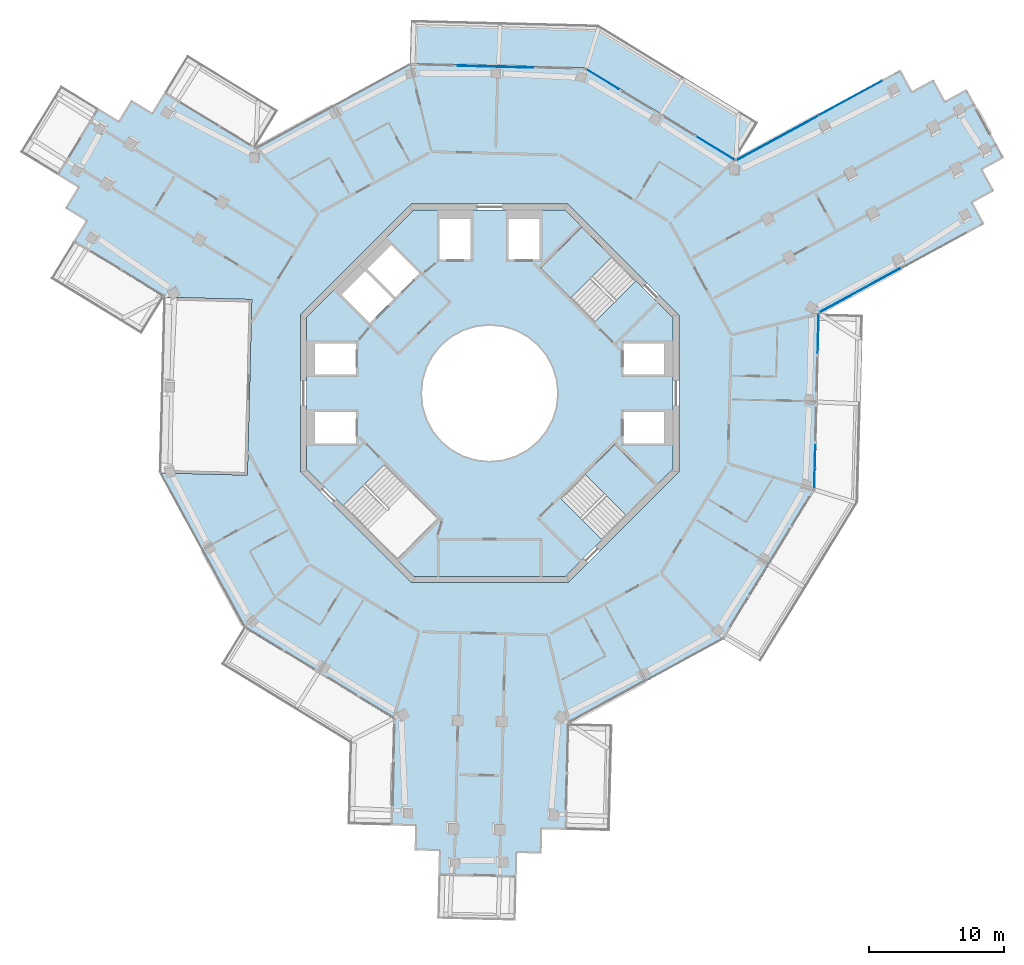
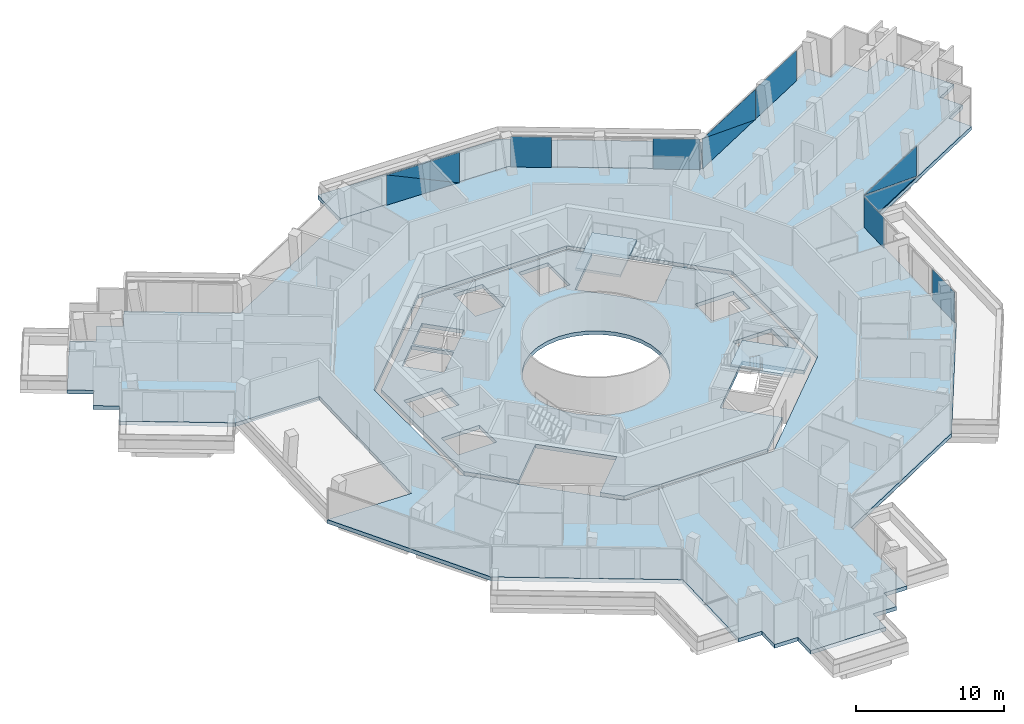
# One storey, part 14 of 24: 11 plates, 5 slabs, 7 elements without a shape of their own.
"""IFC4 building model written with IfcOpenShell, lengths in metres."""

from ifc_helpers import new_model, si_unit, direction, frame, origin, origin_2d, place, context, subcontext, project, spatial, polyline, rectangle, outline, extrude, material, layer, layer_set, type_object, element, aggregate, save


model = new_model("IFC4")

# Units and contexts
model_context = context("Model", 3, precision=1e-05, world=origin(), true_north=direction((0.0, 1.0)))
body_context = subcontext(model_context, "Body", "Model", "MODEL_VIEW")
ifc_project = project(units=[si_unit("LENGTHUNIT", "METRE"), si_unit("AREAUNIT", "SQUARE_METRE"), si_unit("VOLUMEUNIT", "CUBIC_METRE"), si_unit("PLANEANGLEUNIT", "RADIAN"), si_unit("MASSUNIT", "GRAM", prefix="KILO")], contexts=[model_context])

# Site, building, storey
site_placement = place(None, origin())
site = spatial("IfcSite", under=ifc_project, at=site_placement, CompositionType="ELEMENT")
building_placement = place(site_placement, origin())
building = spatial("IfcBuilding", under=site, at=building_placement, Name="Verdalira Terraces Hotel", CompositionType="ELEMENT")
storey_placement = place(building_placement, frame((0.0, 0.0, 274.0)))
storey = spatial("IfcBuildingStorey", under=building, at=storey_placement, Name="L67", CompositionType="ELEMENT", Elevation=274.0)

# Slab
ifc_material_1 = material(Name="Precast concrete C40/50", Category="concrete")
ifc_layer_1 = layer(ifc_material_1, 0.31005859375)
ifc_layer_set_1 = layer_set([ifc_layer_1], Name="Balcony deck 310")
slab_type_1 = type_object("IfcSlabType", Name="Balcony deck 310", PredefinedType="FLOOR", material=ifc_layer_set_1)
slab_1_placement = place(storey_placement, frame((0.0, 0.0, -0.310059)))
element("IfcSlab", 1, at=slab_1_placement, inside=storey, type_object=slab_type_1, Name="Balcony deck", PredefinedType="FLOOR", context=body_context, shape_type="SweptSolid", body=[
    extrude(outline(polyline([(-5.807861, 27.613037), (-5.888428, 24.414062), (7.107666, 24.087402), (18.198975, 17.306396), (19.868164, 20.036621), (8.045166, 27.264648), (-5.807861, 27.613037)])), origin(), (0.0, 0.0, 1.0), 0.310059),
])

# Curtain wall, plates
ifc_material_2 = material(Name="Clear glass", Category="glass")
ifc_layer_2 = layer(ifc_material_2, 0.14990234375)
ifc_layer_set_2 = layer_set([ifc_layer_2], Name="CW1 curtain wall")
curtain_wall_type_1 = type_object("IfcCurtainWallType", Name="CW1 curtain wall", PredefinedType="NOTDEFINED", material=ifc_layer_set_2)
curtain_wall_1_placement = place(storey_placement, origin())
curtain_wall_1 = element("IfcCurtainWall", 2, at=curtain_wall_1_placement, inside=storey, type_object=curtain_wall_type_1, Name="CW1 curtain wall L67 edge 27", PredefinedType="NOTDEFINED")
ifc_material_3 = material(Name="Clear glass", Category="glass")
ifc_layer_3 = layer(ifc_material_3, 0.028076171875)
ifc_layer_set_3 = layer_set([ifc_layer_3], Name="CW1 glass unit 28")
plate_type_1 = type_object("IfcPlateType", Name="CW1 glass unit 28", PredefinedType="CURTAIN_PANEL", material=ifc_layer_set_3)
plate_1_placement = place(storey_placement, frame((24.054443, -5.431152, 0.0), z_axis=(0.0, 0.0, 1.0), x_axis=(0.025130095, 0.999684189, 0.0)))
plate_1 = element("IfcPlate", 3, at=plate_1_placement, type_object=plate_type_1, Name="CW1 glass unit", PredefinedType="CURTAIN_PANEL", context=body_context, shape_type="SweptSolid", body=[
    extrude(rectangle(XDim=3.149902, YDim=0.028076, at=origin_2d()), origin(), (0.0, 0.0, 1.0), 2.524902),
])
plate_2_placement = place(storey_placement, frame((24.302002, 4.41626, 0.0), z_axis=(0.0, 0.0, 1.0), x_axis=(0.025130095, 0.999684189, 0.0)))
plate_2 = element("IfcPlate", 4, at=plate_2_placement, type_object=plate_type_1, Name="CW1 glass unit", PredefinedType="CURTAIN_PANEL", context=body_context, shape_type="SweptSolid", body=[
    extrude(rectangle(XDim=2.828613, YDim=0.028076, at=origin_2d()), origin(), (0.0, 0.0, 1.0), 2.524902),
])
aggregate(curtain_wall_1, [plate_1, plate_2])

curtain_wall_2_placement = place(storey_placement, origin())
curtain_wall_2 = element("IfcCurtainWall", 5, at=curtain_wall_2_placement, inside=storey, type_object=curtain_wall_type_1, Name="CW1 curtain wall L67 edge 39", PredefinedType="NOTDEFINED")
plate_3_placement = place(storey_placement, frame((16.747803, 18.105713, 0.0), z_axis=(0.0, 0.0, 1.0), x_axis=(-0.853186856, 0.521605396, 0.0)))
plate_3 = element("IfcPlate", 6, at=plate_3_placement, type_object=plate_type_1, Name="CW1 glass unit", PredefinedType="CURTAIN_PANEL", context=body_context, shape_type="SweptSolid", body=[
    extrude(rectangle(XDim=3.189941, YDim=0.028076, at=origin_2d()), origin(), (0.0, 0.0, 1.0), 2.524902),
])
plate_4_placement = place(storey_placement, frame((8.343506, 23.243896, 0.0), z_axis=(0.0, 0.0, 1.0), x_axis=(-0.853186856, 0.521605396, 0.0)))
plate_4 = element("IfcPlate", 7, at=plate_4_placement, type_object=plate_type_1, Name="CW1 glass unit", PredefinedType="CURTAIN_PANEL", context=body_context, shape_type="SweptSolid", body=[
    extrude(rectangle(XDim=2.788574, YDim=0.028076, at=origin_2d()), origin(), (0.0, 0.0, 1.0), 2.524902),
])
aggregate(curtain_wall_2, [plate_3, plate_4])

curtain_wall_3_placement = place(storey_placement, origin())
curtain_wall_3 = element("IfcCurtainWall", 8, at=curtain_wall_3_placement, inside=storey, type_object=curtain_wall_type_1, Name="CW1 curtain wall L67 edge 40", PredefinedType="NOTDEFINED")
plate_5_placement = place(storey_placement, frame((0.42749, 24.16626, 1.262451), z_axis=(0.025130095, 0.999684189, 0.0), x_axis=(-0.999684189, 0.025130095, 0.0)))
plate_5 = element("IfcPlate", 9, at=plate_5_placement, type_object=plate_type_1, Name="CW1 glass unit", PredefinedType="CURTAIN_PANEL", context=body_context, shape_type="SweptSolid", body=[
    extrude(outline(polyline([(-2.792969, -1.262451), (2.792969, -1.262451), (2.792969, 1.262451), (-2.792969, -1.262451)])), origin(), (0.0, 0.0, 1.0), 0.028076),
])
plate_6_placement = place(storey_placement, frame((0.426758, 24.137207, 1.262451), z_axis=(0.025130095, 0.999684189, 0.0), x_axis=(-0.999684189, 0.025130095, 0.0)))
plate_6 = element("IfcPlate", 10, at=plate_6_placement, type_object=plate_type_1, Name="CW1 glass unit", PredefinedType="CURTAIN_PANEL", context=body_context, shape_type="SweptSolid", body=[
    extrude(outline(polyline([(-2.792969, -1.262451), (2.792969, 1.262451), (-2.792969, 1.262451), (-2.792969, -1.262451)])), origin(), (0.0, 0.0, 1.0), 0.028076),
])
aggregate(curtain_wall_3, [plate_5, plate_6])

ifc_material_4 = material(Name="Clear glass", Category="glass")
ifc_layer_4 = layer(ifc_material_4, 0.14990234375)
ifc_layer_set_4 = layer_set([ifc_layer_4], Name="CW2 curtain wall")
curtain_wall_type_2 = type_object("IfcCurtainWallType", Name="CW2 curtain wall", PredefinedType="NOTDEFINED", material=ifc_layer_set_4)
curtain_wall_4_placement = place(storey_placement, origin())
curtain_wall_4 = element("IfcCurtainWall", 11, at=curtain_wall_4_placement, inside=storey, type_object=curtain_wall_type_2, Name="CW2 curtain wall L67 edge 28", PredefinedType="NOTDEFINED")
ifc_material_5 = material(Name="Clear glass", Category="glass")
ifc_layer_5 = layer(ifc_material_5, 0.031982421875)
ifc_layer_set_5 = layer_set([ifc_layer_5], Name="CW2 glass unit 32")
plate_type_2 = type_object("IfcPlateType", Name="CW2 glass unit 32", PredefinedType="CURTAIN_PANEL", material=ifc_layer_set_5)
plate_7_placement = place(storey_placement, frame((27.434326, 7.635986, 1.262451), z_axis=(0.478078794, -0.878316951, 0.0), x_axis=(0.878316951, 0.478078794, 0.0)))
plate_7 = element("IfcPlate", 12, at=plate_7_placement, type_object=plate_type_2, Name="CW2 glass unit", PredefinedType="CURTAIN_PANEL", context=body_context, shape_type="SweptSolid", body=[
    extrude(outline(polyline([(-3.418213, -1.262451), (3.418213, -1.262451), (-3.418213, 1.262451), (-3.418213, -1.262451)])), origin(), (0.0, 0.0, 1.0), 0.031982),
])
plate_8_placement = place(storey_placement, frame((27.418457, 7.664795, 1.262451), z_axis=(0.478078794, -0.878316951, 0.0), x_axis=(0.878316951, 0.478078794, 0.0)))
plate_8 = element("IfcPlate", 13, at=plate_8_placement, type_object=plate_type_2, Name="CW2 glass unit", PredefinedType="CURTAIN_PANEL", context=body_context, shape_type="SweptSolid", body=[
    extrude(outline(polyline([(3.418213, -1.262451), (3.418213, 1.262451), (-3.418213, 1.262451), (3.418213, -1.262451)])), origin(), (0.0, 0.0, 1.0), 0.031982),
])
aggregate(curtain_wall_4, [plate_7, plate_8])

curtain_wall_5_placement = place(storey_placement, origin())
curtain_wall_5 = element("IfcCurtainWall", 14, at=curtain_wall_5_placement, inside=storey, type_object=curtain_wall_type_2, Name="CW2 curtain wall L67 edge 38", PredefinedType="NOTDEFINED")
plate_9_placement = place(storey_placement, frame((26.679443, 21.837158, 0.0), z_axis=(0.0, 0.0, 1.0), x_axis=(-0.878316951, -0.478078794, 0.0)))
plate_9 = element("IfcPlate", 15, at=plate_9_placement, type_object=plate_type_2, Name="CW2 glass unit", PredefinedType="CURTAIN_PANEL", context=body_context, shape_type="SweptSolid", body=[
    extrude(rectangle(XDim=5.276367, YDim=0.031982, at=origin_2d()), origin(), (0.0, 0.0, 1.0), 2.524902),
])
plate_10_placement = place(storey_placement, frame((21.306152, 18.894043, 1.262451), z_axis=(-0.478078794, 0.878316951, 0.0), x_axis=(-0.878316951, -0.478078794, 0.0)))
plate_10 = element("IfcPlate", 16, at=plate_10_placement, type_object=plate_type_2, Name="CW2 glass unit", PredefinedType="CURTAIN_PANEL", context=body_context, shape_type="SweptSolid", body=[
    extrude(outline(polyline([(-3.418213, -1.262451), (3.418213, -1.262451), (3.418213, 1.262451), (-3.418213, -1.262451)])), origin(), (0.0, 0.0, 1.0), 0.031982),
])
plate_11_placement = place(storey_placement, frame((21.322021, 18.865234, 1.262451), z_axis=(-0.478078794, 0.878316951, 0.0), x_axis=(-0.878316951, -0.478078794, 0.0)))
plate_11 = element("IfcPlate", 17, at=plate_11_placement, type_object=plate_type_2, Name="CW2 glass unit", PredefinedType="CURTAIN_PANEL", context=body_context, shape_type="SweptSolid", body=[
    extrude(outline(polyline([(-3.418213, -1.262451), (3.418213, 1.262451), (-3.418213, 1.262451), (-3.418213, -1.262451)])), origin(), (0.0, 0.0, 1.0), 0.031982),
])
aggregate(curtain_wall_5, [plate_9, plate_10, plate_11])

# Slab
ifc_material_6 = material(Name="Concrete C40", Category="concrete")
ifc_layer_6 = layer(ifc_material_6, 0.31005859375)
ifc_layer_set_6 = layer_set([ifc_layer_6], Name="Core floor slab 310 mm")
slab_type_2 = type_object("IfcSlabType", Name="Core floor slab 310 mm", PredefinedType="FLOOR", material=ifc_layer_set_6)
slab_2_placement = place(storey_placement, frame((0.0, 0.0, -0.310059)))
element("IfcSlab", 18, at=slab_2_placement, inside=storey, type_object=slab_type_2, Name="L67 core floor", PredefinedType="FLOOR", context=body_context, shape_type="SweptSolid", body=[
    extrude(outline(polyline([(-6.809326, -12.353271), (-3.719482, -9.263184), (-7.746094, -5.236572), (-10.836182, -8.326416), (-13.550049, -5.612549), (-13.550049, 5.612549), (-5.612549, 13.550049), (5.612549, 13.550049), (6.809326, 12.353271), (3.719482, 9.263184), (7.746094, 5.236572), (10.836182, 8.326416), (13.550049, 5.612549), (13.550049, -5.612549), (12.353271, -6.809326), (9.263184, -3.719482), (5.236572, -7.746094), (8.326416, -10.836182), (5.612549, -13.550049), (-5.612549, -13.550049), (-6.809326, -12.353271)]), holes=[polyline([(9.899902, -1.399902), (9.899902, -3.699951), (12.899902, -3.699951), (12.899902, -1.399902), (9.899902, -1.399902)]), polyline([(9.899902, 3.699951), (9.899902, 1.399902), (12.899902, 1.399902), (12.899902, 3.699951), (9.899902, 3.699951)]), polyline([(3.699951, 12.899902), (1.399902, 12.899902), (1.399902, 9.899902), (3.699951, 9.899902), (3.699951, 12.899902)]), polyline([(-1.399902, 12.899902), (-3.699951, 12.899902), (-3.699951, 9.899902), (-1.399902, 9.899902), (-1.399902, 12.899902)]), polyline([(-9.899902, 1.399902), (-9.899902, 3.699951), (-12.899902, 3.699951), (-12.899902, 1.399902), (-9.899902, 1.399902)]), polyline([(-9.899902, -3.699951), (-9.899902, -1.399902), (-12.899902, -1.399902), (-12.899902, -3.699951), (-9.899902, -3.699951)]), polyline([(-9.051025, 9.192383), (-6.965088, 7.106445), (-5.197266, 8.874268), (-7.283203, 10.960205), (-9.051025, 9.192383)]), polyline([(-9.192383, 9.051025), (-10.960205, 7.283203), (-8.874268, 5.197266), (-7.106445, 6.965088), (-9.192383, 9.051025)]), polyline([(3.5354, 3.5354), (2.777832, 4.157227), (1.91333, 4.619385), (0.975586, 4.903809), (0.0, 5.0), (-0.975586, 4.903809), (-1.91333, 4.619385), (-2.777832, 4.157227), (-3.5354, 3.5354), (-4.157227, 2.777832), (-4.619385, 1.91333), (-4.903809, 0.975586), (-5.0, 0.0), (-4.903809, -0.975586), (-4.619385, -1.91333), (-4.157227, -2.777832), (-3.5354, -3.5354), (-2.777832, -4.157227), (-1.91333, -4.619385), (-0.975586, -4.903809), (0.0, -5.0), (0.975586, -4.903809), (1.91333, -4.619385), (2.777832, -4.157227), (3.5354, -3.5354), (4.157227, -2.777832), (4.619385, -1.91333), (4.903809, -0.975586), (5.0, 0.0), (4.903809, 0.975586), (4.619385, 1.91333), (4.157227, 2.777832), (3.5354, 3.5354)])]), origin(), (0.0, 0.0, 1.0), 0.310059),
])

# Stair, slab
ifc_material_7 = material(Name="Concrete C40", Category="concrete")
stair_type = type_object("IfcStairType", Name="Core stair 20 risers 2125 mm wide", PredefinedType="HALF_TURN_STAIR", material=ifc_material_7)
stair_1_placement = place(storey_placement, origin())
stair_1 = element("IfcStair", 19, at=stair_1_placement, inside=storey, type_object=stair_type, Name="L67 Exit stair ST1", PredefinedType="HALF_TURN_STAIR")
ifc_material_8 = material(Name="Concrete C40", Category="concrete")
ifc_layer_7 = layer(ifc_material_8, 0.199951171875)
ifc_layer_set_7 = layer_set([ifc_layer_7], Name="Core stair landing 200 mm")
slab_type_3 = type_object("IfcSlabType", Name="Core stair landing 200 mm", PredefinedType="LANDING", material=ifc_layer_set_7)
slab_3_placement = place(storey_placement, frame((0.0, 0.0, 1.550049)))
slab_3 = element("IfcSlab", 20, at=slab_3_placement, type_object=slab_type_3, Name="ST1 landing 1", PredefinedType="LANDING", context=body_context, shape_type="SweptSolid", body=[
    extrude(outline(polyline([(9.054932, 10.107666), (6.823486, 12.339111), (3.747559, 9.263184), (5.979004, 7.031738), (9.054932, 10.107666)])), origin(), (0.0, 0.0, 1.0), 0.199951),
])
aggregate(stair_1, [slab_3])

stair_2_placement = place(storey_placement, origin())
stair_2 = element("IfcStair", 21, at=stair_2_placement, inside=storey, type_object=stair_type, Name="L67 Exit stair ST3", PredefinedType="HALF_TURN_STAIR")
slab_4_placement = place(storey_placement, frame((0.0, 0.0, 1.550049)))
slab_4 = element("IfcSlab", 22, at=slab_4_placement, type_object=slab_type_3, Name="ST3 landing 1", PredefinedType="LANDING", context=body_context, shape_type="SweptSolid", body=[
    extrude(outline(polyline([(10.107666, -9.054932), (12.339111, -6.823486), (9.263184, -3.747559), (7.031738, -5.979004), (10.107666, -9.054932)])), origin(), (0.0, 0.0, 1.0), 0.199951),
])
aggregate(stair_2, [slab_4])

# Slab
ifc_material_9 = material(Name="Concrete C40", Category="concrete")
ifc_layer_8 = layer(ifc_material_9, 0.31005859375)
ifc_layer_set_8 = layer_set([ifc_layer_8], Name="Floor slab 310 C40")
slab_type_4 = type_object("IfcSlabType", Name="Floor slab 310 C40", PredefinedType="FLOOR", material=ifc_layer_set_8)
slab_5_placement = place(storey_placement, frame((0.0, 0.0, -0.310059)))
element("IfcSlab", 23, at=slab_5_placement, inside=storey, type_object=slab_type_4, Name="Floor slab L67", PredefinedType="FLOOR", context=body_context, shape_type="SweptSolid", body=[
    extrude(outline(polyline([(-29.873779, 12.754883), (-30.812744, 11.219238), (-24.087891, 7.10791), (-24.087891, 7.108154), (-17.588867, 6.94458), (-17.915527, -6.052246), (-24.413818, -5.888916), (-18.198975, -17.306396), (-7.107666, -24.087402), (-7.305664, -31.967285), (-5.506104, -32.012695), (-5.551514, -33.812012), (-3.751953, -33.857422), (-3.797363, -35.656738), (2.000977, -35.80249), (2.046143, -34.003174), (3.845703, -34.04834), (3.890869, -32.248779), (5.690186, -32.294189), (5.888184, -24.414062), (17.306396, -18.198975), (24.087402, -7.107666), (24.414062, 5.888184), (36.607422, 12.525391), (35.746826, 14.106201), (37.327881, 14.966797), (36.467285, 16.547852), (38.048096, 17.408203), (35.275391, 22.502686), (33.694336, 21.64209), (32.83374, 23.2229), (31.25293, 22.362549), (30.392334, 23.943359), (18.198975, 17.306396), (7.107666, 24.087402), (-5.888184, 24.414062), (-17.306396, 18.198975), (-24.031738, 22.310547), (-24.970703, 20.774902), (-26.506348, 21.713867), (-27.445312, 20.177979), (-28.980957, 21.116943), (-32.006348, 16.168457), (-30.470703, 15.229492), (-31.409424, 13.693848), (-29.873779, 12.754883)]), holes=[polyline([(5.799072, 14.0), (14.0, 5.799072), (14.0, -5.799072), (5.799072, -14.0), (-5.799072, -14.0), (-14.0, -5.799072), (-14.0, 5.799072), (-5.799072, 14.0), (5.799072, 14.0)])]), origin(), (0.0, 0.0, 1.0), 0.310059),
])

save(model, "model.ifc")
